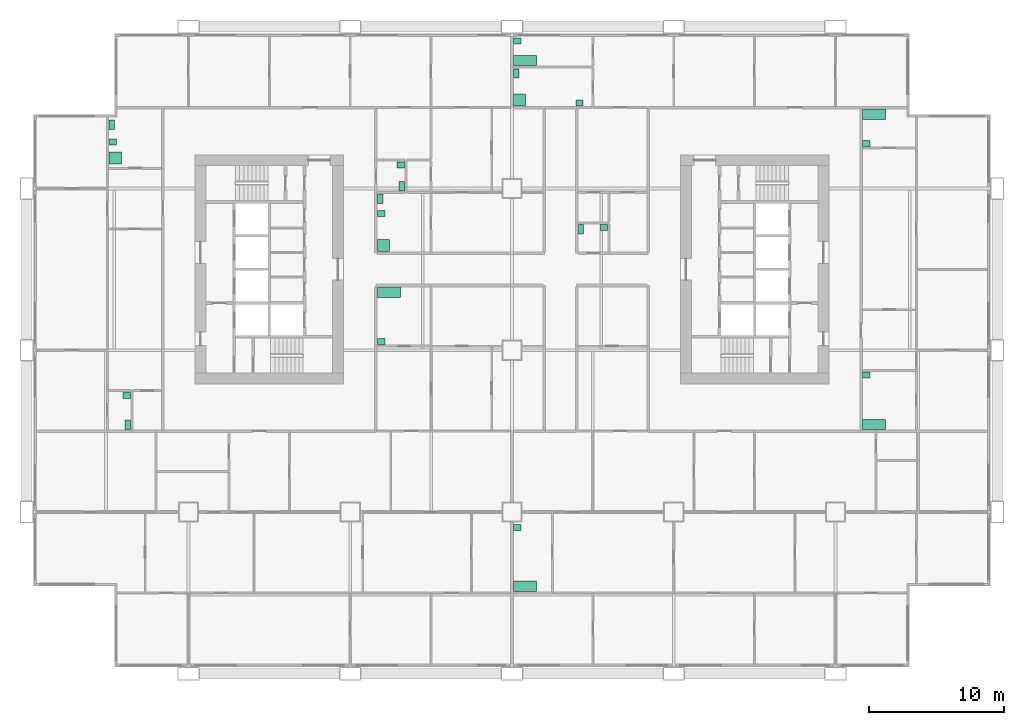
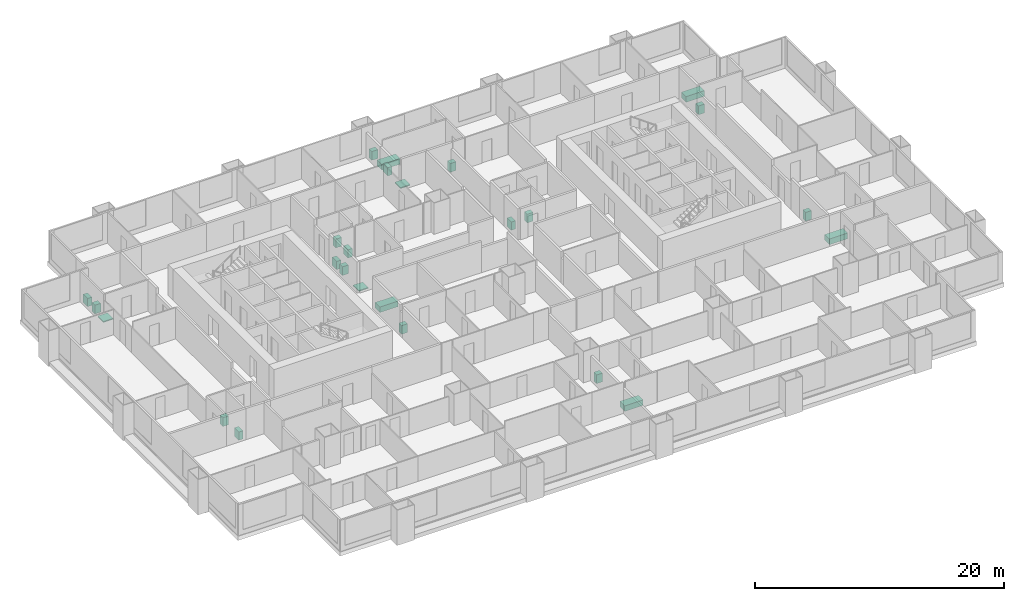
# One storey, part 13 of 13: 25 sanitary terminals.
"""IFC4 building model written with IfcOpenShell, lengths in metres."""

from ifc_helpers import new_model, si_unit, direction, frame, origin, origin_2d, place, context, subcontext, project, spatial, rectangle, extrude, material, type_object, element, save


model = new_model("IFC4")

# Units and contexts
model_context = context("Model", 3, precision=1e-05, world=origin(), true_north=direction((0.0, 1.0)))
body_context = subcontext(model_context, "Body", "Model", "MODEL_VIEW")
ifc_project = project(units=[si_unit("LENGTHUNIT", "METRE"), si_unit("AREAUNIT", "SQUARE_METRE"), si_unit("VOLUMEUNIT", "CUBIC_METRE"), si_unit("PLANEANGLEUNIT", "RADIAN"), si_unit("MASSUNIT", "GRAM", prefix="KILO")], contexts=[model_context])

# Site, building, storey
site_placement = place(None, origin())
site = spatial("IfcSite", under=ifc_project, at=site_placement, CompositionType="ELEMENT")
building_placement = place(site_placement, origin())
building = spatial("IfcBuilding", under=site, at=building_placement, Name="Kitamizu Gate Tower and Museum", CompositionType="ELEMENT")
storey_placement = place(building_placement, frame((0.0, 0.0, 81.75)))
storey = spatial("IfcBuildingStorey", under=building, at=storey_placement, Name="L20", CompositionType="ELEMENT", Elevation=81.75)

# Sanitary terminals
ifc_material_1 = material(Name="Acrylic")
sanitary_terminal_type_1 = type_object("IfcSanitaryTerminalType", Name="Bath", PredefinedType="BATH", material=ifc_material_1)
for number, where, z_axis, x_axis, name in (
    (1, (26.8701171875, 28.304931640625, 0.0009765625), (0.0, 0.0, 1.0), (1.0, 0.0, 0.0), "Bath Bathroom and WC 20A"),
    (2, (36.969970703125, 6.4951171875, 0.0009765625), (0.0, 0.0, 1.0), (1.0, 0.0, 0.0), "Bath Bathroom and WC 20D"),
    (3, (62.8701171875, 18.4951171875, 0.0009765625), (0.0, 0.0, 1.0), (1.0, 0.0, 0.0), "Bath Bathroom 20E"),
    (4, (62.8701171875, 41.5048828125, 0.0009765625), (0.0, 0.0, 1.0), (1.0, 0.0, 0.0), "Bath Bathroom and WC 20E"),
    (5, (36.969970703125, 45.4951171875, 0.0009765625), (0.0, 0.0, 1.0), (1.0, 0.0, 0.0), "Bath Bathroom 20F"),
):
    element("IfcSanitaryTerminal", number, at=place(storey_placement, frame(where, z_axis=z_axis, x_axis=x_axis)), inside=storey, type_object=sanitary_terminal_type_1, Name=name, PredefinedType="BATH", context=body_context, shape_type="SweptSolid", body=[
        extrude(rectangle(XDim=1.699951171875, YDim=0.75, at=origin_2d()), origin(), (0.0, 0.0, 1.0), 0.550048828125),
    ])
ifc_material_2 = material(Name="Acrylic")
sanitary_terminal_type_2 = type_object("IfcSanitaryTerminalType", Name="Shower tray", PredefinedType="SHOWER", material=ifc_material_2)
for number, where, z_axis, x_axis, name in (
    (6, (6.570068359375, 38.27001953125, 0.0009765625), (0.0, 0.0, 1.0), (1.0, 0.0, 0.0), "Shower tray En-suite bathroom 20B"),
    (7, (26.469970703125, 31.77001953125, 0.0009765625), (0.0, 0.0, 1.0), (1.0, 0.0, 0.0), "Shower tray En-suite bathroom 20C"),
    (8, (36.570068359375, 42.570068359375, 0.0009765625), (0.0, 0.0, 1.0), (1.0, 0.0, 0.0), "Shower tray En-suite bathroom 20F"),
):
    element("IfcSanitaryTerminal", number, at=place(storey_placement, frame(where, z_axis=z_axis, x_axis=x_axis)), inside=storey, type_object=sanitary_terminal_type_2, Name=name, PredefinedType="SHOWER", context=body_context, shape_type="SweptSolid", body=[
        extrude(rectangle(XDim=0.89990234375, YDim=0.89990234375, at=origin_2d()), origin(), (0.0, 0.0, 1.0), 0.10009765625),
    ])
ifc_material_3 = material(Name="Vitreous china")
sanitary_terminal_type_3 = type_object("IfcSanitaryTerminalType", Name="Wash hand basin", PredefinedType="WASHHANDBASIN", material=ifc_material_3)
for number, where, z_axis, x_axis, name in (
    (9, (26.294921875, 24.64501953125, 0.0009765625), (0.0, 0.0, 1.0), (1.0, 0.0, 0.0), "Wash hand basin Bathroom and WC 20A"),
    (10, (7.405029296875, 20.655029296875, 0.0009765625), (0.0, 0.0, 1.0), (1.0, 0.0, 0.0), "Wash hand basin WC 20B"),
    (11, (6.39501953125, 39.445068359375, 0.0009765625), (0.0, 0.0, 1.0), (1.0, 0.0, 0.0), "Wash hand basin En-suite bathroom 20B"),
    (12, (27.7548828125, 37.7548828125, 0.0009765625), (0.0, 0.0, 1.0), (1.0, 0.0, 0.0), "Wash hand basin WC 20C"),
    (13, (26.294921875, 34.155029296875, 0.0009765625), (0.0, 0.0, 1.0), (1.0, 0.0, 0.0), "Wash hand basin En-suite bathroom 20C"),
    (14, (36.39501953125, 10.85498046875, 0.0009765625), (0.0, 0.0, 1.0), (1.0, 0.0, 0.0), "Wash hand basin Bathroom and WC 20D"),
    (15, (62.294921875, 22.155029296875, 0.0009765625), (0.0, 0.0, 1.0), (1.0, 0.0, 0.0), "Wash hand basin Bathroom 20E"),
    (16, (62.294921875, 39.344970703125, 0.0009765625), (0.0, 0.0, 1.0), (1.0, 0.0, 0.0), "Wash hand basin Bathroom and WC 20E"),
    (17, (41.0048828125, 42.344970703125, 0.0009765625), (0.0, 0.0, 1.0), (1.0, 0.0, 0.0), "Wash hand basin En-suite bathroom 20F"),
    (18, (36.39501953125, 46.93505859375, 0.0009765625), (0.0, 0.0, 1.0), (1.0, 0.0, 0.0), "Wash hand basin Bathroom 20F"),
    (19, (42.804931640625, 33.10498046875, 0.0009765625), (0.0, 0.0, 1.0), (1.0, 0.0, 0.0), "Wash hand basin WC 20F"),
):
    element("IfcSanitaryTerminal", number, at=place(storey_placement, frame(where, z_axis=z_axis, x_axis=x_axis)), inside=storey, type_object=sanitary_terminal_type_3, Name=name, PredefinedType="WASHHANDBASIN", context=body_context, shape_type="SweptSolid", body=[
        extrude(rectangle(XDim=0.550048828125, YDim=0.449951171875, at=origin_2d()), origin(), (0.0, 0.0, 1.0), 0.85009765625),
    ])
ifc_material_4 = material(Name="Vitreous china")
sanitary_terminal_type_4 = type_object("IfcSanitaryTerminalType", Name="Water closet", PredefinedType="TOILETPAN", material=ifc_material_4)
for number, where, z_axis, x_axis, name in (
    (20, (7.47998046875, 18.469970703125, 0.0009765625), (0.0, 0.0, 1.0), (1.0, 0.0, 0.0), "Water closet WC 20B"),
    (21, (6.320068359375, 40.72998046875, 0.0009765625), (0.0, 0.0, 1.0), (1.0, 0.0, 0.0), "Water closet En-suite bathroom 20B"),
    (22, (27.830078125, 36.169921875, 0.0009765625), (0.0, 0.0, 1.0), (1.0, 0.0, 0.0), "Water closet WC 20C"),
    (23, (26.219970703125, 35.22998046875, 0.0009765625), (0.0, 0.0, 1.0), (1.0, 0.0, 0.0), "Water closet En-suite bathroom 20C"),
    (24, (36.320068359375, 44.530029296875, 0.0009765625), (0.0, 0.0, 1.0), (1.0, 0.0, 0.0), "Water closet En-suite bathroom 20F"),
    (25, (41.1201171875, 32.97998046875, 0.0009765625), (0.0, 0.0, 1.0), (1.0, 0.0, 0.0), "Water closet WC 20F"),
):
    element("IfcSanitaryTerminal", number, at=place(storey_placement, frame(where, z_axis=z_axis, x_axis=x_axis)), inside=storey, type_object=sanitary_terminal_type_4, Name=name, PredefinedType="TOILETPAN", context=body_context, shape_type="SweptSolid", body=[
        extrude(rectangle(XDim=0.39990234375, YDim=0.699951171875, at=origin_2d()), origin(), (0.0, 0.0, 1.0), 0.800048828125),
    ])

save(model, "model.ifc")
